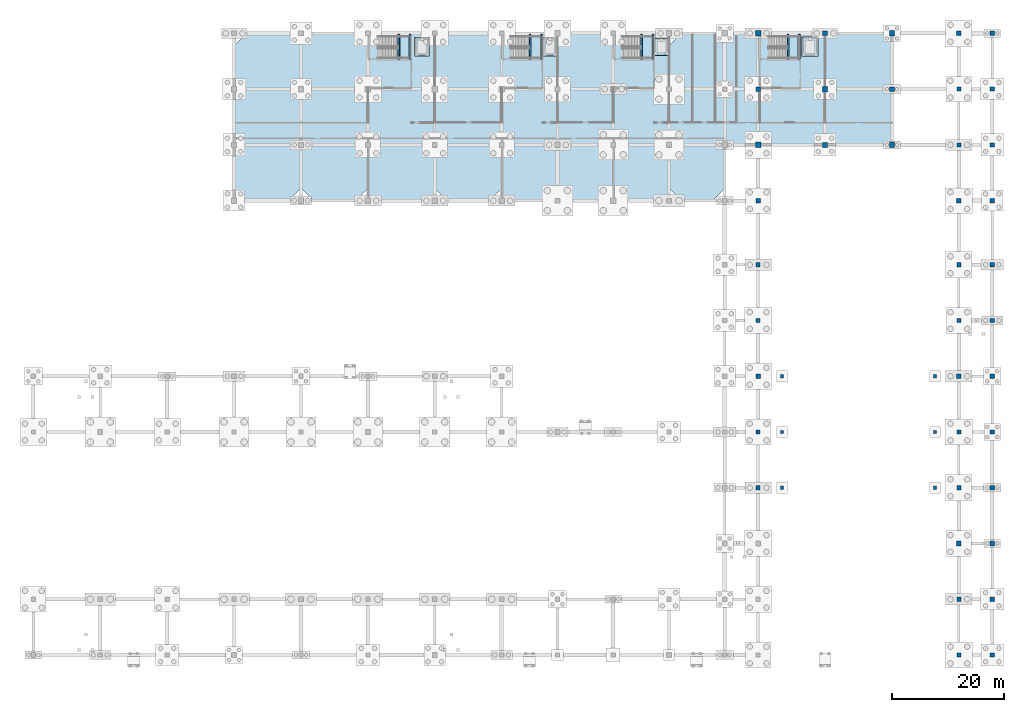
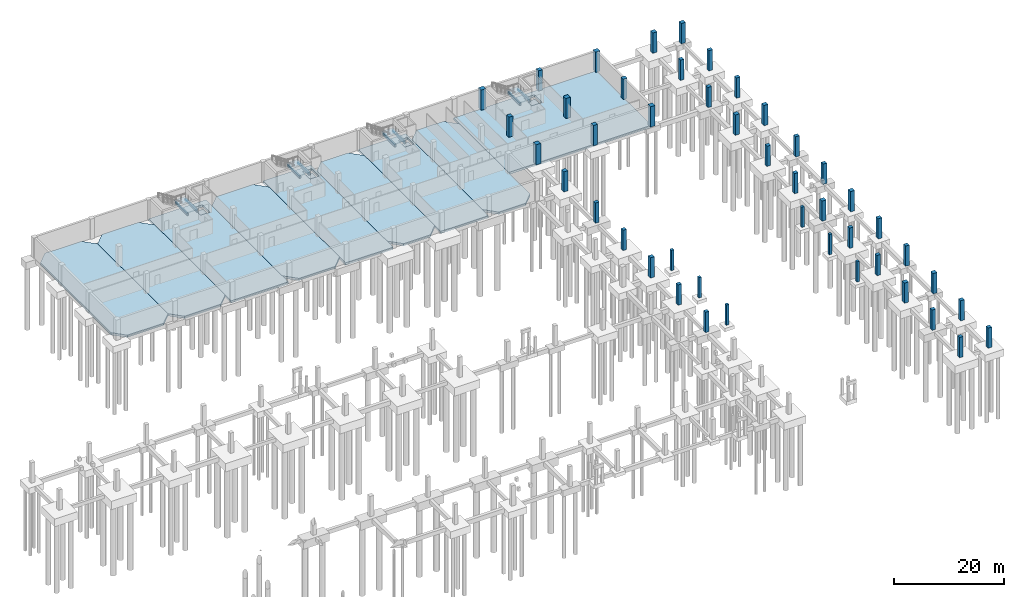
# One storey, part 11 of 19: 45 columns, 17 slabs, 8 beams, 4 elements without a shape of their own.
"""IFC4 building model written with IfcOpenShell, lengths in metres."""

from ifc_helpers import new_model, si_unit, direction, frame, origin, origin_2d, place, context, subcontext, project, spatial, polyline, rectangle, outline, extrude, material, layer, layer_set, material_profile, profile_set, type_object, element, aggregate, save


model = new_model("IFC4")

# Units and contexts
model_context = context("Model", 3, precision=1e-05, world=origin(), true_north=direction((0.0, 1.0)))
body_context = subcontext(model_context, "Body", "Model", "MODEL_VIEW")
ifc_project = project(units=[si_unit("LENGTHUNIT", "METRE"), si_unit("AREAUNIT", "SQUARE_METRE"), si_unit("VOLUMEUNIT", "CUBIC_METRE"), si_unit("PLANEANGLEUNIT", "RADIAN"), si_unit("MASSUNIT", "GRAM", prefix="KILO")], contexts=[model_context])

# Site, building, storey
site_placement = place(None, origin())
site = spatial("IfcSite", under=ifc_project, at=site_placement, CompositionType="ELEMENT")
building_placement = place(site_placement, origin())
building = spatial("IfcBuilding", under=site, at=building_placement, Name="Mersad Railyard Sports Hall", CompositionType="ELEMENT")
storey_placement = place(building_placement, frame((0.0, 0.0, -4.5)))
storey = spatial("IfcBuildingStorey", under=building, at=storey_placement, Name="B1", CompositionType="ELEMENT", Elevation=-4.5)

# Columns
ifc_material_1 = material(Name="Concrete C50/60", Category="concrete")
ifc_material_profile_1 = material_profile(ifc_material_1, rectangle(XDim=0.949951171875, YDim=0.949951171875, at=origin_2d()), Name="RC 950x950")
ifc_profile_set_1 = profile_set([ifc_material_profile_1], Name="Concrete C50/60")
column_type_1 = type_object("IfcColumnType", Name="STR-COL-C01", PredefinedType="COLUMN", material=ifc_profile_set_1)
for number, where, z_axis, x_axis, name in (
    (1, (137.0, 95.0, 0.0), (0.0, 0.0, 1.0), (1.0, 0.0, 0.0), "Column C01 B1 (137.0,95.0)"),
    (2, (137.0, 115.0, 0.0), (0.0, 0.0, 1.0), (1.0, 0.0, 0.0), "Column C01 B1 (137.0,115.0)"),
    (3, (149.0, 105.0, 0.0), (0.0, 0.0, 1.0), (1.0, 0.0, 0.0), "Column C01 B1 (149.0,105.0)"),
    (4, (161.0, 95.0, 0.0), (0.0, 0.0, 1.0), (1.0, 0.0, 0.0), "Column C01 B1 (161.0,95.0)"),
    (5, (161.0, 115.0, 0.0), (0.0, 0.0, 1.0), (1.0, 0.0, 0.0), "Column C01 B1 (161.0,115.0)"),
):
    element("IfcColumn", number, at=place(storey_placement, frame(where, z_axis=z_axis, x_axis=x_axis)), inside=storey, type_object=column_type_1, Name=name, PredefinedType="COLUMN", context=body_context, shape_type="SweptSolid", body=[
        extrude(rectangle(XDim=0.949951171875, YDim=0.949951171875, at=origin_2d()), origin(), (0.0, 0.0, 1.0), 4.5),
    ])
ifc_material_profile_2 = material_profile(ifc_material_1, rectangle(XDim=0.85009765625, YDim=0.85009765625, at=origin_2d()), Name="RC 850x850")
ifc_profile_set_2 = profile_set([ifc_material_profile_2], Name="Concrete C50/60")
column_type_2 = type_object("IfcColumnType", Name="STR-COL-C02", PredefinedType="COLUMN", material=ifc_profile_set_2)
for number, where, z_axis, x_axis, name in (
    (6, (137.0, 53.5, 0.0), (0.0, 0.0, 1.0), (1.0, 0.0, 0.0), "Column C02 B1 (137.0,53.5)"),
    (7, (137.0, 85.0, 0.0), (0.0, 0.0, 1.0), (1.0, 0.0, 0.0), "Column C02 B1 (137.0,85.0)"),
    (8, (137.0, 105.0, 0.0), (0.0, 0.0, 1.0), (1.0, 0.0, 0.0), "Column C02 B1 (137.0,105.0)"),
    (9, (149.0, 95.0, 0.0), (0.0, 0.0, 1.0), (1.0, 0.0, 0.0), "Column C02 B1 (149.0,95.0)"),
    (10, (149.0, 115.0, 0.0), (0.0, 0.0, 1.0), (1.0, 0.0, 0.0), "Column C02 B1 (149.0,115.0)"),
    (11, (161.0, 105.0, 0.0), (0.0, 0.0, 1.0), (1.0, 0.0, 0.0), "Column C02 B1 (161.0,105.0)"),
    (12, (173.0, 23.5, 0.0), (0.0, 0.0, 1.0), (1.0, 0.0, 0.0), "Column C02 B1 (173.0,23.5)"),
    (13, (173.0, 53.5, 0.0), (0.0, 0.0, 1.0), (1.0, 0.0, 0.0), "Column C02 B1 (173.0,53.5)"),
    (14, (173.0, 85.0, 0.0), (0.0, 0.0, 1.0), (1.0, 0.0, 0.0), "Column C02 B1 (173.0,85.0)"),
    (15, (173.0, 115.0, 0.0), (0.0, 0.0, 1.0), (1.0, 0.0, 0.0), "Column C02 B1 (173.0,115.0)"),
    (16, (179.0, 23.5, 0.0), (0.0, 0.0, 1.0), (1.0, 0.0, 0.0), "Column C02 B1 (179.0,23.5)"),
    (17, (179.0, 53.5, 0.0), (0.0, 0.0, 1.0), (1.0, 0.0, 0.0), "Column C02 B1 (179.0,53.5)"),
    (18, (179.0, 85.0, 0.0), (0.0, 0.0, 1.0), (1.0, 0.0, 0.0), "Column C02 B1 (179.0,85.0)"),
    (19, (179.0, 115.0, 0.0), (0.0, 0.0, 1.0), (1.0, 0.0, 0.0), "Column C02 B1 (179.0,115.0)"),
):
    element("IfcColumn", number, at=place(storey_placement, frame(where, z_axis=z_axis, x_axis=x_axis)), inside=storey, type_object=column_type_2, Name=name, PredefinedType="COLUMN", context=body_context, shape_type="SweptSolid", body=[
        extrude(rectangle(XDim=0.85009765625, YDim=0.85009765625, at=origin_2d()), origin(), (0.0, 0.0, 1.0), 4.5),
    ])
ifc_material_profile_3 = material_profile(ifc_material_1, rectangle(XDim=0.75, YDim=0.75, at=origin_2d()), Name="RC 750x750")
ifc_profile_set_3 = profile_set([ifc_material_profile_3], Name="Concrete C50/60")
column_type_3 = type_object("IfcColumnType", Name="STR-COL-C03", PredefinedType="COLUMN", material=ifc_profile_set_3)
for number, where, z_axis, x_axis, name in (
    (20, (137.0, 33.5, 0.0), (0.0, 0.0, 1.0), (1.0, 0.0, 0.0), "Column C03 B1 (137.0,33.5)"),
    (21, (137.0, 43.5, 0.0), (0.0, 0.0, 1.0), (1.0, 0.0, 0.0), "Column C03 B1 (137.0,43.5)"),
    (22, (137.0, 63.5, 0.0), (0.0, 0.0, 1.0), (1.0, 0.0, 0.0), "Column C03 B1 (137.0,63.5)"),
    (23, (137.0, 73.5, 0.0), (0.0, 0.0, 1.0), (1.0, 0.0, 0.0), "Column C03 B1 (137.0,73.5)"),
    (24, (173.0, 3.5, 0.0), (0.0, 0.0, 1.0), (1.0, 0.0, 0.0), "Column C03 B1 (173.0,3.5)"),
    (25, (173.0, 13.5, 0.0), (0.0, 0.0, 1.0), (1.0, 0.0, 0.0), "Column C03 B1 (173.0,13.5)"),
    (26, (173.0, 33.5, 0.0), (0.0, 0.0, 1.0), (1.0, 0.0, 0.0), "Column C03 B1 (173.0,33.5)"),
    (27, (173.0, 43.5, 0.0), (0.0, 0.0, 1.0), (1.0, 0.0, 0.0), "Column C03 B1 (173.0,43.5)"),
    (28, (173.0, 63.5, 0.0), (0.0, 0.0, 1.0), (1.0, 0.0, 0.0), "Column C03 B1 (173.0,63.5)"),
    (29, (173.0, 73.5, 0.0), (0.0, 0.0, 1.0), (1.0, 0.0, 0.0), "Column C03 B1 (173.0,73.5)"),
    (30, (173.0, 95.0, 0.0), (0.0, 0.0, 1.0), (1.0, 0.0, 0.0), "Column C03 B1 (173.0,95.0)"),
    (31, (173.0, 105.0, 0.0), (0.0, 0.0, 1.0), (1.0, 0.0, 0.0), "Column C03 B1 (173.0,105.0)"),
    (32, (179.0, 3.5, 0.0), (0.0, 0.0, 1.0), (1.0, 0.0, 0.0), "Column C03 B1 (179.0,3.5)"),
    (33, (179.0, 13.5, 0.0), (0.0, 0.0, 1.0), (1.0, 0.0, 0.0), "Column C03 B1 (179.0,13.5)"),
    (34, (179.0, 33.5, 0.0), (0.0, 0.0, 1.0), (1.0, 0.0, 0.0), "Column C03 B1 (179.0,33.5)"),
    (35, (179.0, 43.5, 0.0), (0.0, 0.0, 1.0), (1.0, 0.0, 0.0), "Column C03 B1 (179.0,43.5)"),
    (36, (179.0, 63.5, 0.0), (0.0, 0.0, 1.0), (1.0, 0.0, 0.0), "Column C03 B1 (179.0,63.5)"),
    (37, (179.0, 73.5, 0.0), (0.0, 0.0, 1.0), (1.0, 0.0, 0.0), "Column C03 B1 (179.0,73.5)"),
    (38, (179.0, 95.0, 0.0), (0.0, 0.0, 1.0), (1.0, 0.0, 0.0), "Column C03 B1 (179.0,95.0)"),
    (39, (179.0, 105.0, 0.0), (0.0, 0.0, 1.0), (1.0, 0.0, 0.0), "Column C03 B1 (179.0,105.0)"),
):
    element("IfcColumn", number, at=place(storey_placement, frame(where, z_axis=z_axis, x_axis=x_axis)), inside=storey, type_object=column_type_3, Name=name, PredefinedType="COLUMN", context=body_context, shape_type="SweptSolid", body=[
        extrude(rectangle(XDim=0.75, YDim=0.75, at=origin_2d()), origin(), (0.0, 0.0, 1.0), 4.5),
    ])
ifc_material_2 = material(Name="Concrete C40/50", Category="concrete")
ifc_material_profile_4 = material_profile(ifc_material_2, rectangle(XDim=0.550048828125, YDim=0.550048828125, at=origin_2d()), Name="RC 550x550")
ifc_profile_set_4 = profile_set([ifc_material_profile_4], Name="Concrete C40/50")
column_type_4 = type_object("IfcColumnType", Name="STR-COL-C05", PredefinedType="COLUMN", material=ifc_profile_set_4)
for number, where, z_axis, x_axis, name in (
    (40, (141.300048828125, 33.5, 0.0), (0.0, 0.0, 1.0), (1.0, 0.0, 0.0), "Column C05 B1 (141.3,33.5)"),
    (41, (168.699951171875, 33.5, 0.0), (0.0, 0.0, 1.0), (1.0, 0.0, 0.0), "Column C05 B1 (168.7,33.5)"),
    (42, (141.300048828125, 43.5, 0.0), (0.0, 0.0, 1.0), (1.0, 0.0, 0.0), "Column C05 B1 (141.3,43.5)"),
    (43, (168.699951171875, 43.5, 0.0), (0.0, 0.0, 1.0), (1.0, 0.0, 0.0), "Column C05 B1 (168.7,43.5)"),
    (44, (141.300048828125, 53.5, 0.0), (0.0, 0.0, 1.0), (1.0, 0.0, 0.0), "Column C05 B1 (141.3,53.5)"),
    (45, (168.699951171875, 53.5, 0.0), (0.0, 0.0, 1.0), (1.0, 0.0, 0.0), "Column C05 B1 (168.7,53.5)"),
):
    element("IfcColumn", number, at=place(storey_placement, frame(where, z_axis=z_axis, x_axis=x_axis)), inside=storey, type_object=column_type_4, Name=name, PredefinedType="COLUMN", context=body_context, shape_type="SweptSolid", body=[
        extrude(rectangle(XDim=0.550048828125, YDim=0.550048828125, at=origin_2d()), origin(), (0.0, 0.0, 1.0), 4.5),
    ])

# Beams
ifc_material_profile_5 = material_profile(ifc_material_2, rectangle(XDim=0.300048828125, YDim=0.5, at=origin_2d()), Name="RC 300x500")
ifc_profile_set_5 = profile_set([ifc_material_profile_5], Name="Concrete C40/50")
beam_type = type_object("IfcBeamType", Name="STR-BM-LN01", PredefinedType="LINTEL", material=ifc_profile_set_5)
for number, where, z_axis, x_axis, name in (
    (46, (72.530029296875, 110.3798828125, 1.820068359375), (0.0, 1.0, 0.0), (-1.0, 0.0, 0.0), "Stair ST01A landing beam W"),
    (47, (74.570068359375, 110.3798828125, 1.820068359375), (0.0, 1.0, 0.0), (-1.0, 0.0, 0.0), "Stair ST01A landing beam E"),
    (48, (96.10009765625, 110.3798828125, 1.820068359375), (0.0, 1.0, 0.0), (-1.0, 0.0, 0.0), "Stair ST02A landing beam W"),
    (49, (98.1201171875, 110.3798828125, 1.820068359375), (0.0, 1.0, 0.0), (-1.0, 0.0, 0.0), "Stair ST02A landing beam E"),
    (50, (116.10009765625, 110.3798828125, 1.820068359375), (0.0, 1.0, 0.0), (-1.0, 0.0, 0.0), "Stair ST03A landing beam W"),
    (51, (118.1201171875, 110.3798828125, 1.820068359375), (0.0, 1.0, 0.0), (-1.0, 0.0, 0.0), "Stair ST03A landing beam E"),
    (52, (142.35009765625, 110.3798828125, 1.820068359375), (0.0, 1.0, 0.0), (-1.0, 0.0, 0.0), "Stair ST04A landing beam W"),
    (53, (144.3701171875, 110.3798828125, 1.820068359375), (0.0, 1.0, 0.0), (-1.0, 0.0, 0.0), "Stair ST04A landing beam E"),
):
    element("IfcBeam", number, at=place(storey_placement, frame(where, z_axis=z_axis, x_axis=x_axis)), inside=storey, type_object=beam_type, Name=name, PredefinedType="LINTEL", context=body_context, shape_type="SweptSolid", body=[
        extrude(rectangle(XDim=0.300048828125, YDim=0.5, at=origin_2d()), origin(), (0.0, 0.0, 1.0), 4.43017578125),
    ])

# Slabs
ifc_layer_1 = layer(ifc_material_2, 0.5)
ifc_layer_set_1 = layer_set([ifc_layer_1], Name="Concrete C40/50")
slab_type_1 = type_object("IfcSlabType", Name="STR-SL-BS01", PredefinedType="BASESLAB", material=ifc_layer_set_1)
slab_1_placement = place(storey_placement, frame((0.0, 0.0, -0.5)))
element("IfcSlab", 54, at=slab_1_placement, inside=storey, type_object=slab_type_1, Name="Slab BS01-0001", PredefinedType="BASESLAB", context=body_context, shape_type="SweptSolid", body=[
    extrude(outline(polyline([(45.199951171875, 85.0), (52.800048828125, 85.0), (55.0, 87.199951171875), (55.0, 112.800048828125), (52.800048828125, 115.0), (45.199951171875, 115.0), (43.0, 112.800048828125), (43.0, 87.199951171875), (45.199951171875, 85.0)])), origin(), (0.0, 0.0, 1.0), 0.5),
])
slab_2_placement = place(storey_placement, frame((0.0, 0.0, -0.5)))
element("IfcSlab", 55, at=slab_2_placement, inside=storey, type_object=slab_type_1, Name="Slab BS01-0002", PredefinedType="BASESLAB", context=body_context, shape_type="SweptSolid", body=[
    extrude(outline(polyline([(57.199951171875, 85.0), (64.800048828125, 85.0), (67.0, 87.199951171875), (67.0, 112.800048828125), (64.800048828125, 115.0), (57.199951171875, 115.0), (55.0, 112.800048828125), (55.0, 87.199951171875), (57.199951171875, 85.0)])), origin(), (0.0, 0.0, 1.0), 0.5),
])
slab_3_placement = place(storey_placement, frame((0.0, 0.0, -0.5)))
element("IfcSlab", 56, at=slab_3_placement, inside=storey, type_object=slab_type_1, Name="Slab BS01-0003", PredefinedType="BASESLAB", context=body_context, shape_type="SweptSolid", body=[
    extrude(outline(polyline([(67.0, 85.0), (79.0, 85.0), (79.0, 115.0), (67.0, 115.0), (67.0, 85.0)]), holes=[polyline([(75.699951171875, 111.25), (77.699951171875, 111.25), (77.699951171875, 113.949951171875), (75.699951171875, 113.949951171875), (75.699951171875, 111.25)])]), origin(), (0.0, 0.0, 1.0), 0.5),
])
slab_4_placement = place(storey_placement, frame((0.0, 0.0, -0.5)))
element("IfcSlab", 57, at=slab_4_placement, inside=storey, type_object=slab_type_1, Name="Slab BS01-0004", PredefinedType="BASESLAB", context=body_context, shape_type="SweptSolid", body=[
    extrude(outline(polyline([(81.199951171875, 85.0), (88.800048828125, 85.0), (91.0, 87.199951171875), (91.0, 112.800048828125), (88.800048828125, 115.0), (81.199951171875, 115.0), (79.0, 112.800048828125), (79.0, 87.199951171875), (81.199951171875, 85.0)])), origin(), (0.0, 0.0, 1.0), 0.5),
])
slab_5_placement = place(storey_placement, frame((0.0, 0.0, -0.5)))
element("IfcSlab", 58, at=slab_5_placement, inside=storey, type_object=slab_type_1, Name="Slab BS01-0005", PredefinedType="BASESLAB", context=body_context, shape_type="SweptSolid", body=[
    extrude(outline(polyline([(91.0, 85.0), (101.0, 85.0), (101.0, 115.0), (91.0, 115.0), (91.0, 85.0)]), holes=[polyline([(98.699951171875, 111.25), (100.60009765625, 111.25), (100.60009765625, 113.949951171875), (98.699951171875, 113.949951171875), (98.699951171875, 111.25)])]), origin(), (0.0, 0.0, 1.0), 0.5),
])
slab_6_placement = place(storey_placement, frame((0.0, 0.0, -0.5)))
element("IfcSlab", 59, at=slab_6_placement, inside=storey, type_object=slab_type_1, Name="Slab BS01-0006", PredefinedType="BASESLAB", context=body_context, shape_type="SweptSolid", body=[
    extrude(outline(polyline([(103.199951171875, 85.0), (108.800048828125, 85.0), (111.0, 87.199951171875), (111.0, 112.800048828125), (108.800048828125, 115.0), (103.199951171875, 115.0), (101.0, 112.800048828125), (101.0, 87.199951171875), (103.199951171875, 85.0)])), origin(), (0.0, 0.0, 1.0), 0.5),
])
slab_7_placement = place(storey_placement, frame((0.0, 0.0, -0.5)))
element("IfcSlab", 60, at=slab_7_placement, inside=storey, type_object=slab_type_1, Name="Slab BS01-0007", PredefinedType="BASESLAB", context=body_context, shape_type="SweptSolid", body=[
    extrude(outline(polyline([(111.0, 85.0), (121.0, 85.0), (121.0, 115.0), (111.0, 115.0), (111.0, 85.0)]), holes=[polyline([(118.699951171875, 111.39990234375), (120.60009765625, 111.39990234375), (120.60009765625, 113.800048828125), (118.699951171875, 113.800048828125), (118.699951171875, 111.39990234375)])]), origin(), (0.0, 0.0, 1.0), 0.5),
])
slab_8_placement = place(storey_placement, frame((0.0, 0.0, -0.5)))
element("IfcSlab", 61, at=slab_8_placement, inside=storey, type_object=slab_type_1, Name="Slab BS01-0008", PredefinedType="BASESLAB", context=body_context, shape_type="SweptSolid", body=[
    extrude(outline(polyline([(123.199951171875, 85.0), (128.800048828125, 85.0), (131.0, 87.199951171875), (131.0, 112.800048828125), (128.800048828125, 115.0), (123.199951171875, 115.0), (121.0, 112.800048828125), (121.0, 87.199951171875), (123.199951171875, 85.0)])), origin(), (0.0, 0.0, 1.0), 0.5),
])
slab_9_placement = place(storey_placement, frame((0.0, 0.0, -0.5)))
element("IfcSlab", 62, at=slab_9_placement, inside=storey, type_object=slab_type_1, Name="Slab BS01-0009", PredefinedType="BASESLAB", context=body_context, shape_type="SweptSolid", body=[
    extrude(outline(polyline([(131.0, 95.0), (161.0, 95.0), (161.0, 115.0), (131.0, 115.0), (131.0, 95.0)]), holes=[polyline([(145.199951171875, 111.199951171875), (147.39990234375, 111.199951171875), (147.39990234375, 114.0), (145.199951171875, 114.0), (145.199951171875, 111.199951171875)])]), origin(), (0.0, 0.0, 1.0), 0.5),
])
ifc_layer_2 = layer(ifc_material_2, 0.449951171875)
ifc_layer_set_2 = layer_set([ifc_layer_2], Name="Concrete C40/50")
slab_type_2 = type_object("IfcSlabType", Name="STR-SL-BS02", PredefinedType="BASESLAB", material=ifc_layer_set_2)
slab_10_placement = place(storey_placement, frame((0.0, 0.0, -1.75)))
element("IfcSlab", 63, at=slab_10_placement, inside=storey, type_object=slab_type_2, Name="Lift FFL-01 shaft pit base", PredefinedType="BASESLAB", context=body_context, shape_type="SweptSolid", body=[
    extrude(outline(polyline([(75.35009765625, 110.89990234375), (78.050048828125, 110.89990234375), (78.050048828125, 114.300048828125), (75.35009765625, 114.300048828125), (75.35009765625, 110.89990234375)])), origin(), (0.0, 0.0, 1.0), 0.449951171875),
])
slab_11_placement = place(storey_placement, frame((0.0, 0.0, -1.75)))
element("IfcSlab", 64, at=slab_11_placement, inside=storey, type_object=slab_type_2, Name="Lift FFL-02 shaft pit base", PredefinedType="BASESLAB", context=body_context, shape_type="SweptSolid", body=[
    extrude(outline(polyline([(98.35009765625, 110.89990234375), (100.949951171875, 110.89990234375), (100.949951171875, 114.300048828125), (98.35009765625, 114.300048828125), (98.35009765625, 110.89990234375)])), origin(), (0.0, 0.0, 1.0), 0.449951171875),
])
slab_12_placement = place(storey_placement, frame((0.0, 0.0, -1.75)))
element("IfcSlab", 65, at=slab_12_placement, inside=storey, type_object=slab_type_2, Name="Lift PL-03 shaft pit base", PredefinedType="BASESLAB", context=body_context, shape_type="SweptSolid", body=[
    extrude(outline(polyline([(118.35009765625, 111.050048828125), (120.949951171875, 111.050048828125), (120.949951171875, 114.14990234375), (118.35009765625, 114.14990234375), (118.35009765625, 111.050048828125)])), origin(), (0.0, 0.0, 1.0), 0.449951171875),
])
slab_13_placement = place(storey_placement, frame((0.0, 0.0, -1.75)))
element("IfcSlab", 66, at=slab_13_placement, inside=storey, type_object=slab_type_2, Name="Lift PL-04 shaft pit base", PredefinedType="BASESLAB", context=body_context, shape_type="SweptSolid", body=[
    extrude(outline(polyline([(144.85009765625, 110.85009765625), (147.75, 110.85009765625), (147.75, 114.35009765625), (144.85009765625, 114.35009765625), (144.85009765625, 110.85009765625)])), origin(), (0.0, 0.0, 1.0), 0.449951171875),
])

# Stair, slab
stair_type_1 = type_object("IfcStairType", Name="ARC-ST-ST01A", PredefinedType="HALF_TURN_STAIR", material=ifc_material_2)
stair_1_placement = place(storey_placement, origin())
stair_1 = element("IfcStair", 67, at=stair_1_placement, inside=storey, type_object=stair_type_1, Name="Core C1 Exit Stair B1-L00", PredefinedType="HALF_TURN_STAIR")
ifc_layer_3 = layer(ifc_material_2, 0.179931640625)
ifc_layer_set_3 = layer_set([ifc_layer_3], Name="Concrete C40/50")
slab_type_3 = type_object("IfcSlabType", Name="STR-SL-LD01", PredefinedType="LANDING", material=ifc_layer_set_3)
slab_14_placement = place(storey_placement, frame((0.0, 0.0, 2.070068359375)))
slab_14 = element("IfcSlab", 68, at=slab_14_placement, type_object=slab_type_3, Name="Core C1 Exit Stair B1-L00 Half Landing", PredefinedType="LANDING", context=body_context, shape_type="SweptSolid", body=[
    extrude(outline(polyline([(72.330078125, 110.3798828125), (74.77001953125, 110.3798828125), (74.77001953125, 115.050048828125), (72.330078125, 115.050048828125), (72.330078125, 110.3798828125)])), origin(), (0.0, 0.0, 1.0), 0.179931640625),
])
aggregate(stair_1, [slab_14])

stair_type_2 = type_object("IfcStairType", Name="ARC-ST-ST02A", PredefinedType="HALF_TURN_STAIR", material=ifc_material_2)
stair_2_placement = place(storey_placement, origin())
stair_2 = element("IfcStair", 69, at=stair_2_placement, inside=storey, type_object=stair_type_2, Name="Core C2 Exit Stair B1-L00", PredefinedType="HALF_TURN_STAIR")
slab_15_placement = place(storey_placement, frame((0.0, 0.0, 2.070068359375)))
slab_15 = element("IfcSlab", 70, at=slab_15_placement, type_object=slab_type_3, Name="Core C2 Exit Stair B1-L00 Half Landing", PredefinedType="LANDING", context=body_context, shape_type="SweptSolid", body=[
    extrude(outline(polyline([(95.89990234375, 110.3798828125), (98.320068359375, 110.3798828125), (98.320068359375, 115.050048828125), (95.89990234375, 115.050048828125), (95.89990234375, 110.3798828125)])), origin(), (0.0, 0.0, 1.0), 0.179931640625),
])
aggregate(stair_2, [slab_15])

stair_type_3 = type_object("IfcStairType", Name="ARC-ST-ST03A", PredefinedType="HALF_TURN_STAIR", material=ifc_material_2)
stair_3_placement = place(storey_placement, origin())
stair_3 = element("IfcStair", 71, at=stair_3_placement, inside=storey, type_object=stair_type_3, Name="Core C3 Exit Stair B1-L00", PredefinedType="HALF_TURN_STAIR")
slab_16_placement = place(storey_placement, frame((0.0, 0.0, 2.070068359375)))
slab_16 = element("IfcSlab", 72, at=slab_16_placement, type_object=slab_type_3, Name="Core C3 Exit Stair B1-L00 Half Landing", PredefinedType="LANDING", context=body_context, shape_type="SweptSolid", body=[
    extrude(outline(polyline([(115.89990234375, 110.3798828125), (118.320068359375, 110.3798828125), (118.320068359375, 115.050048828125), (115.89990234375, 115.050048828125), (115.89990234375, 110.3798828125)])), origin(), (0.0, 0.0, 1.0), 0.179931640625),
])
aggregate(stair_3, [slab_16])

stair_type_4 = type_object("IfcStairType", Name="ARC-ST-ST04A", PredefinedType="HALF_TURN_STAIR", material=ifc_material_2)
stair_4_placement = place(storey_placement, origin())
stair_4 = element("IfcStair", 73, at=stair_4_placement, inside=storey, type_object=stair_type_4, Name="Core C4 Exit Stair B1-L00", PredefinedType="HALF_TURN_STAIR")
slab_17_placement = place(storey_placement, frame((0.0, 0.0, 2.070068359375)))
slab_17 = element("IfcSlab", 74, at=slab_17_placement, type_object=slab_type_3, Name="Core C4 Exit Stair B1-L00 Half Landing", PredefinedType="LANDING", context=body_context, shape_type="SweptSolid", body=[
    extrude(outline(polyline([(142.14990234375, 110.3798828125), (144.570068359375, 110.3798828125), (144.570068359375, 115.050048828125), (142.14990234375, 115.050048828125), (142.14990234375, 110.3798828125)])), origin(), (0.0, 0.0, 1.0), 0.179931640625),
])
aggregate(stair_4, [slab_17])

save(model, "model.ifc")
